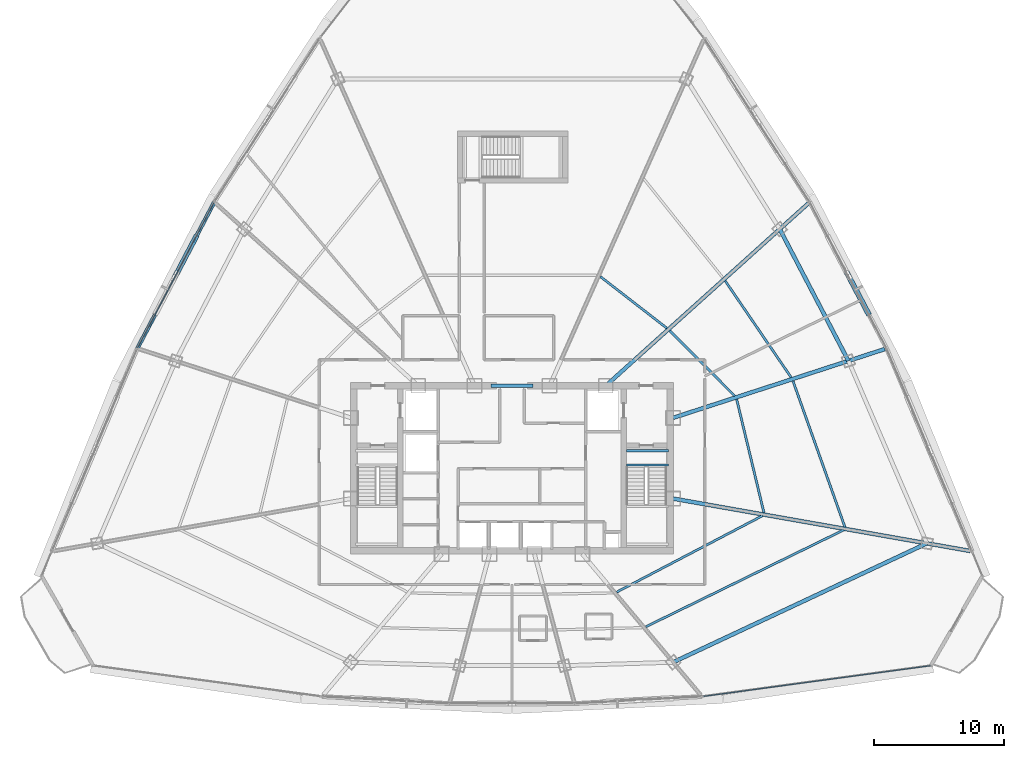
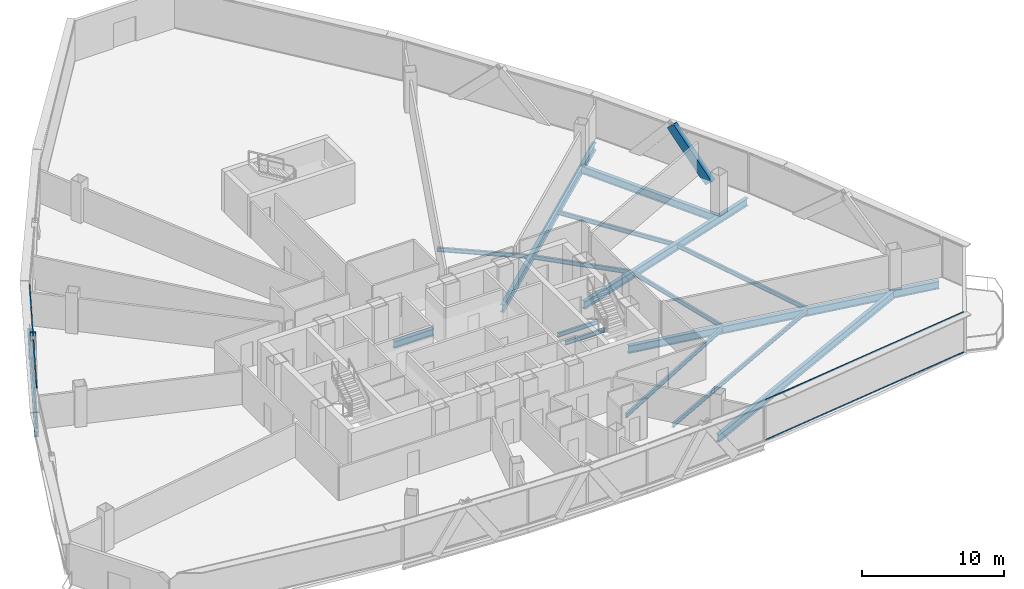
# One storey, part 13 of 34: 16 beams, 6 members, 2 elements without a shape of their own.
"""IFC4 building model written with IfcOpenShell, lengths in metres."""

from ifc_helpers import new_model, si_unit, direction, frame, origin, origin_2d, place, context, subcontext, project, spatial, hollow_rectangle, i_section, extrude, source, transform, mapped, material, layer, layer_set, material_profile, profile_set, type_object, element, aggregate, save


model = new_model("IFC4")

# Units and contexts
model_context = context("Model", 3, precision=1e-05, world=origin(), true_north=direction((0.0, 1.0)))
body_context = subcontext(model_context, "Body", "Model", "MODEL_VIEW")
ifc_project = project(units=[si_unit("LENGTHUNIT", "METRE"), si_unit("AREAUNIT", "SQUARE_METRE"), si_unit("VOLUMEUNIT", "CUBIC_METRE"), si_unit("PLANEANGLEUNIT", "RADIAN"), si_unit("MASSUNIT", "GRAM", prefix="KILO"), si_unit("THERMODYNAMICTEMPERATUREUNIT", "KELVIN"), si_unit("POWERUNIT", "WATT")], contexts=[model_context])

# Site, building, storey
site_placement = place(None, origin())
site = spatial("IfcSite", under=ifc_project, at=site_placement, CompositionType="ELEMENT")
building_placement = place(site_placement, origin())
building = spatial("IfcBuilding", under=site, at=building_placement, Name="Yunzhuo Pagoda Commons", CompositionType="ELEMENT")
storey_placement = place(building_placement, frame((0.0, 0.0, 229.610107421875)))
storey = spatial("IfcBuildingStorey", under=building, at=storey_placement, Name="L57", CompositionType="ELEMENT", Elevation=229.610107421875)

# Beams
ifc_material_1 = material(Name="Structural steel Q355B", Category="steel")
ifc_material_profile_1 = material_profile(ifc_material_1, i_section(OverallWidth=0.175048828125, OverallDepth=0.35009765625, WebThickness=0.007080078125, FlangeThickness=0.010986328125, at=origin_2d()), Name="Structural steel Q355B")
ifc_profile_set_1 = profile_set([ifc_material_profile_1], Name="Structural steel Q355B")
beam_type_1 = type_object("IfcBeamType", Name="B-JS2 Joist HN 350x175x7x11", PredefinedType="JOIST", material=ifc_profile_set_1)
shared_shape_1 = source(origin(), body_context, "Body", "SweptSolid", [
    extrude(i_section(OverallWidth=0.175048828125, OverallDepth=0.35009765625, WebThickness=0.007080078125, FlangeThickness=0.010986328125, at=origin_2d()), origin(), (0.0, 0.0, 1.0), 3.25),
])
for number, where, z_axis, x_axis, name in (
    (1, (56.800048828125, 34.10009765625, -0.375), (1.0, 0.0, 0.0), (0.0, 1.0, 0.0), "L57 ST2 landing support beam 161A"),
    (2, (56.800048828125, 35.199951171875, -0.375), (1.0, 0.0, 0.0), (0.0, 1.0, 0.0), "L57 ST2 landing support beam 161B"),
):
    element("IfcBeam", number, at=place(storey_placement, frame(where, z_axis=z_axis, x_axis=x_axis)), inside=storey, type_object=beam_type_1, Name=name, PredefinedType="JOIST", context=body_context, shape_type="MappedRepresentation", body=[
        mapped(shared_shape_1, transform((0.0, 0.0, 0.0), scale=1.0)),
    ])
ifc_material_2 = material(Name="Structural steel Q420B", Category="steel")
ifc_material_profile_2 = material_profile(ifc_material_2, i_section(OverallWidth=0.300048828125, OverallDepth=0.587890625, WebThickness=0.011962890625, FlangeThickness=0.02001953125, at=origin_2d()), Name="Structural steel Q420B")
ifc_profile_set_2 = profile_set([ifc_material_profile_2], Name="Structural steel Q420B")
beam_type_2 = type_object("IfcBeamType", Name="B-CPL Beam HM 588x300x12x20", PredefinedType="BEAM", material=ifc_profile_set_2)
shared_shape_2 = source(origin(), body_context, "Body", "SweptSolid", [
    extrude(i_section(OverallWidth=0.300048828125, OverallDepth=0.587890625, WebThickness=0.011962890625, FlangeThickness=0.02001953125, at=origin_2d()), origin(), (0.0, 0.0, 1.0), 3.2001953125),
])
beam_1_placement = place(storey_placement, frame((46.39990234375, 40.199951171875, -0.55419921875), z_axis=(1.0, 0.0, 0.0), x_axis=(0.0, 1.0, 0.0)))
element("IfcBeam", 3, at=beam_1_placement, inside=storey, type_object=beam_type_2, Name="L57 core coupling girder", PredefinedType="BEAM", context=body_context, shape_type="MappedRepresentation", body=[
    mapped(shared_shape_2, transform((0.0, 0.0, 0.0), scale=1.0)),
])
ifc_material_profile_3 = material_profile(ifc_material_1, i_section(OverallWidth=0.300048828125, OverallDepth=0.43994140625, WebThickness=0.010986328125, FlangeThickness=0.01806640625, at=origin_2d()), Name="Structural steel Q355B")
ifc_profile_set_3 = profile_set([ifc_material_profile_3], Name="Structural steel Q355B")
beam_type_3 = type_object("IfcBeamType", Name="B-SP2 Beam HM 440x300x11x18", PredefinedType="BEAM", material=ifc_profile_set_3)
shared_shape_3 = source(origin(), body_context, "Body", "SweptSolid", [
    extrude(i_section(OverallWidth=0.300048828125, OverallDepth=0.43994140625, WebThickness=0.010986328125, FlangeThickness=0.01806640625, at=origin_2d()), origin(), (0.0, 0.0, 1.0), 12.72802734375),
])
beam_2_placement = place(storey_placement, frame((25.07861328125, 54.33837890625, -0.480224609375), z_axis=(-0.465335297966, -0.88513448722, 0.0), x_axis=(0.88513448722, -0.465335297966, 0.0)))
element("IfcBeam", 4, at=beam_2_placement, inside=storey, type_object=beam_type_3, Name="L57 facade edge spandrel beam F3.2", PredefinedType="BEAM", context=body_context, shape_type="MappedRepresentation", body=[
    mapped(shared_shape_3, transform((0.0, 0.0, 0.0), scale=1.0)),
])
ifc_material_profile_4 = material_profile(ifc_material_1, i_section(OverallWidth=0.300048828125, OverallDepth=0.64990234375, WebThickness=0.012939453125, FlangeThickness=0.02197265625, at=origin_2d()), Name="Structural steel Q355B")
ifc_profile_set_4 = profile_set([ifc_material_profile_4], Name="Structural steel Q355B")
beam_type_4 = type_object("IfcBeamType", Name="B-RG2 Beam HN 650x300x13x22", PredefinedType="BEAM", material=ifc_profile_set_4)
shared_shape_4 = source(origin(), body_context, "Body", "SweptSolid", [
    extrude(i_section(OverallWidth=0.300048828125, OverallDepth=0.64990234375, WebThickness=0.012939453125, FlangeThickness=0.02197265625, at=origin_2d()), origin(), (0.0, 0.0, 1.0), 21.56689453125),
])
beam_3_placement = place(storey_placement, frame((60.406982421875, 18.913818359375, -0.585205078125), z_axis=(0.905424265365, 0.424507832304, 0.0), x_axis=(-0.424507832304, 0.905424265365, 0.0)))
element("IfcBeam", 5, at=beam_3_placement, inside=storey, type_object=beam_type_4, Name="L57 column-ring beam 4", PredefinedType="BEAM", context=body_context, shape_type="MappedRepresentation", body=[
    mapped(shared_shape_4, transform((0.0, 0.0, 0.0), scale=1.0)),
])
shared_shape_5 = source(origin(), body_context, "Body", "SweptSolid", [
    extrude(i_section(OverallWidth=0.300048828125, OverallDepth=0.64990234375, WebThickness=0.012939453125, FlangeThickness=0.02197265625, at=origin_2d()), origin(), (0.0, 0.0, 1.0), 11.43896484375),
])
beam_4_placement = place(storey_placement, frame((73.898681640625, 42.114990234375, -0.585205078125), z_axis=(-0.462175736513, 0.886788356136, 0.0), x_axis=(-0.886788356136, -0.462175736513, 0.0)))
element("IfcBeam", 6, at=beam_4_placement, inside=storey, type_object=beam_type_4, Name="L57 column-ring beam 6", PredefinedType="BEAM", context=body_context, shape_type="MappedRepresentation", body=[
    mapped(shared_shape_5, transform((0.0, 0.0, 0.0), scale=1.0)),
])
shared_shape_6 = source(origin(), body_context, "Body", "SweptSolid", [
    extrude(i_section(OverallWidth=0.300048828125, OverallDepth=0.64990234375, WebThickness=0.012939453125, FlangeThickness=0.02197265625, at=origin_2d()), origin(), (0.0, 0.0, 1.0), 23.22265625),
])
beam_5_placement = place(storey_placement, frame((83.269775390625, 27.48095703125, -0.585205078125), z_axis=(-0.984808525924, 0.173643794211, 0.0), x_axis=(-0.173643794211, -0.984808525924, 0.0)))
element("IfcBeam", 7, at=beam_5_placement, inside=storey, type_object=beam_type_4, Name="L57 radial floor girder F2C1", PredefinedType="BEAM", context=body_context, shape_type="MappedRepresentation", body=[
    mapped(shared_shape_6, transform((0.0, 0.0, 0.0), scale=1.0)),
])
shared_shape_7 = source(origin(), body_context, "Body", "SweptSolid", [
    extrude(i_section(OverallWidth=0.300048828125, OverallDepth=0.64990234375, WebThickness=0.012939453125, FlangeThickness=0.02197265625, at=origin_2d()), origin(), (0.0, 0.0, 1.0), 17.135986328125),
])
beam_6_placement = place(storey_placement, frame((76.697265625, 43.024169921875, -0.585205078125), z_axis=(-0.951059402888, -0.309008110214, 0.0), x_axis=(0.309008110214, -0.951059402888, 0.0)))
element("IfcBeam", 8, at=beam_6_placement, inside=storey, type_object=beam_type_4, Name="L57 radial floor girder F2C2", PredefinedType="BEAM", context=body_context, shape_type="MappedRepresentation", body=[
    mapped(shared_shape_7, transform((0.0, 0.0, 0.0), scale=1.0)),
])
shared_shape_8 = source(origin(), body_context, "Body", "SweptSolid", [
    extrude(i_section(OverallWidth=0.300048828125, OverallDepth=0.64990234375, WebThickness=0.012939453125, FlangeThickness=0.02197265625, at=origin_2d()), origin(), (0.0, 0.0, 1.0), 20.974609375),
])
beam_7_placement = place(storey_placement, frame((70.80615234375, 54.23486328125, -0.585205078125), z_axis=(-0.743140751916, -0.669135130479, 0.0), x_axis=(0.669135130479, -0.743140751916, 0.0)))
element("IfcBeam", 9, at=beam_7_placement, inside=storey, type_object=beam_type_4, Name="L57 radial floor girder F2C3", PredefinedType="BEAM", context=body_context, shape_type="MappedRepresentation", body=[
    mapped(shared_shape_8, transform((0.0, 0.0, 0.0), scale=1.0)),
])
shared_shape_9 = source(origin(), body_context, "Body", "SweptSolid", [
    extrude(i_section(OverallWidth=0.175048828125, OverallDepth=0.35009765625, WebThickness=0.007080078125, FlangeThickness=0.010986328125, at=origin_2d()), origin(), (0.0, 0.0, 1.0), 12.666259765625),
])
beam_8_placement = place(storey_placement, frame((56.0712890625, 24.32275390625, -0.43505859375), z_axis=(0.885841344078, 0.463988268302, 0.0), x_axis=(-0.463988268302, 0.885841344078, 0.0)))
element("IfcBeam", 10, at=beam_8_placement, inside=storey, type_object=beam_type_1, Name="L57 composite ring joist 1.4", PredefinedType="JOIST", context=body_context, shape_type="MappedRepresentation", body=[
    mapped(shared_shape_9, transform((0.0, 0.0, 0.0), scale=1.0)),
])
shared_shape_10 = source(origin(), body_context, "Body", "SweptSolid", [
    extrude(i_section(OverallWidth=0.175048828125, OverallDepth=0.35009765625, WebThickness=0.007080078125, FlangeThickness=0.010986328125, at=origin_2d()), origin(), (0.0, 0.0, 1.0), 16.95361328125),
])
beam_9_placement = place(storey_placement, frame((58.3115234375, 21.6513671875, -0.43505859375), z_axis=(0.898261717675, 0.439460904473, 0.0), x_axis=(-0.439460904473, 0.898261717675, 0.0)))
element("IfcBeam", 11, at=beam_9_placement, inside=storey, type_object=beam_type_1, Name="L57 composite ring joist 2.4", PredefinedType="JOIST", context=body_context, shape_type="MappedRepresentation", body=[
    mapped(shared_shape_10, transform((0.0, 0.0, 0.0), scale=1.0)),
])
shared_shape_11 = source(origin(), body_context, "Body", "SweptSolid", [
    extrude(i_section(OverallWidth=0.175048828125, OverallDepth=0.35009765625, WebThickness=0.007080078125, FlangeThickness=0.010986328125, at=origin_2d()), origin(), (0.0, 0.0, 1.0), 8.973876953125),
])
beam_10_placement = place(storey_placement, frame((67.395263671875, 30.42822265625, -0.43505859375), z_axis=(-0.233858589105, 0.972270620919, 0.0), x_axis=(-0.972270620919, -0.233858589105, 0.0)))
element("IfcBeam", 12, at=beam_10_placement, inside=storey, type_object=beam_type_1, Name="L57 composite ring joist 1.5", PredefinedType="JOIST", context=body_context, shape_type="MappedRepresentation", body=[
    mapped(shared_shape_11, transform((0.0, 0.0, 0.0), scale=1.0)),
])
shared_shape_12 = source(origin(), body_context, "Body", "SweptSolid", [
    extrude(i_section(OverallWidth=0.175048828125, OverallDepth=0.35009765625, WebThickness=0.007080078125, FlangeThickness=0.010986328125, at=origin_2d()), origin(), (0.0, 0.0, 1.0), 11.929931640625),
])
beam_11_placement = place(storey_placement, frame((73.6298828125, 29.3212890625, -0.43505859375), z_axis=(-0.335086374925, 0.942187413066, 0.0), x_axis=(-0.942187413066, -0.335086374925, 0.0)))
element("IfcBeam", 13, at=beam_11_placement, inside=storey, type_object=beam_type_1, Name="L57 composite ring joist 2.5", PredefinedType="JOIST", context=body_context, shape_type="MappedRepresentation", body=[
    mapped(shared_shape_12, transform((0.0, 0.0, 0.0), scale=1.0)),
])
shared_shape_13 = source(origin(), body_context, "Body", "SweptSolid", [
    extrude(i_section(OverallWidth=0.175048828125, OverallDepth=0.35009765625, WebThickness=0.007080078125, FlangeThickness=0.010986328125, at=origin_2d()), origin(), (0.0, 0.0, 1.0), 7.0732421875),
])
beam_12_placement = place(storey_placement, frame((65.147216796875, 39.42041015625, -0.43505859375), z_axis=(-0.706139657206, 0.708072584218, 0.0), x_axis=(-0.708072584218, -0.706139657206, 0.0)))
element("IfcBeam", 14, at=beam_12_placement, inside=storey, type_object=beam_type_1, Name="L57 composite ring joist 1.6", PredefinedType="JOIST", context=body_context, shape_type="MappedRepresentation", body=[
    mapped(shared_shape_13, transform((0.0, 0.0, 0.0), scale=1.0)),
])
shared_shape_14 = source(origin(), body_context, "Body", "SweptSolid", [
    extrude(i_section(OverallWidth=0.175048828125, OverallDepth=0.35009765625, WebThickness=0.007080078125, FlangeThickness=0.010986328125, at=origin_2d()), origin(), (0.0, 0.0, 1.0), 8.99365234375),
])
beam_13_placement = place(storey_placement, frame((69.4892578125, 40.8427734375, -0.43505859375), z_axis=(-0.564098900337, 0.825707230584, 0.0), x_axis=(-0.825707230584, -0.564098900337, 0.0)))
element("IfcBeam", 15, at=beam_13_placement, inside=storey, type_object=beam_type_1, Name="L57 composite ring joist 2.6", PredefinedType="JOIST", context=body_context, shape_type="MappedRepresentation", body=[
    mapped(shared_shape_14, transform((0.0, 0.0, 0.0), scale=1.0)),
])
shared_shape_15 = source(origin(), body_context, "Body", "SweptSolid", [
    extrude(i_section(OverallWidth=0.175048828125, OverallDepth=0.35009765625, WebThickness=0.007080078125, FlangeThickness=0.010986328125, at=origin_2d()), origin(), (0.0, 0.0, 1.0), 6.4677734375),
])
beam_14_placement = place(storey_placement, frame((59.914794921875, 44.638671875, -0.43505859375), z_axis=(-0.790160481991, 0.612900002202, 0.0), x_axis=(-0.612900002202, -0.790160481991, 0.0)))
element("IfcBeam", 16, at=beam_14_placement, inside=storey, type_object=beam_type_1, Name="L57 composite ring joist 1.7", PredefinedType="JOIST", context=body_context, shape_type="MappedRepresentation", body=[
    mapped(shared_shape_15, transform((0.0, 0.0, 0.0), scale=1.0)),
])

# Members
ifc_material_profile_5 = material_profile(ifc_material_1, hollow_rectangle(XDim=0.39990234375, YDim=0.719970703125, WallThickness=0.02392578125, at=origin_2d()), Name="Structural steel Q355B")
ifc_profile_set_5 = profile_set([ifc_material_profile_5], Name="Structural steel Q355B")
member_type_1 = type_object("IfcMemberType", Name="M-DL2 Brace BOX 720x400x24", PredefinedType="BRACE", material=ifc_profile_set_5)
shared_shape_16 = source(origin(), body_context, "Body", "SweptSolid", [
    extrude(hollow_rectangle(XDim=0.39990234375, YDim=0.719970703125, WallThickness=0.02392578125, at=origin_2d()), origin(), (0.0, 0.0, 1.0), 4.90283203125),
])
for number, where, z_axis, x_axis, name in (
    (17, (75.363525390625, 45.888671875, -0.260009765625), (-0.301960074757, 0.574490993152, 0.76077605906), (-0.885174392601, -0.465259384305, 0.0), "L57 facade diamond brace F2.2L"),
    (18, (23.597900390625, 51.52197265625, -0.260009765625), (-0.301960074757, -0.574490993152, 0.76077605906), (0.885174392601, -0.465259384305, 0.0), "L57 facade diamond brace F3.2L"),
):
    element("IfcMember", number, at=place(storey_placement, frame(where, z_axis=z_axis, x_axis=x_axis)), inside=storey, type_object=member_type_1, Name=name, PredefinedType="BRACE", context=body_context, shape_type="MappedRepresentation", body=[
        mapped(shared_shape_16, transform((0.0, 0.0, 0.0), scale=1.0)),
    ])

# Curtain wall, members
ifc_material_3 = material(Name="Anodized aluminium 6063-T6", Category="aluminium")
ifc_layer = layer(ifc_material_3, 0.139892578125)
ifc_layer_set = layer_set([ifc_layer], Name="Anodized aluminium 6063-T6")
curtain_wall_type = type_object("IfcCurtainWallType", Name="CW-HI High-Zone Ribbon Curtain Wall", PredefinedType="NOTDEFINED", material=ifc_layer_set)
curtain_wall_1_placement = place(storey_placement, origin())
curtain_wall_1 = element("IfcCurtainWall", 19, at=curtain_wall_1_placement, inside=storey, type_object=curtain_wall_type, Name="L57 curtain wall CW-L57-F1B5", PredefinedType="NOTDEFINED")
ifc_material_profile_6 = material_profile(ifc_material_3, hollow_rectangle(XDim=0.054931640625, YDim=0.1201171875, WallThickness=0.00341796875, at=origin_2d()), Name="Anodized aluminium 6063-T6")
ifc_profile_set_6 = profile_set([ifc_material_profile_6], Name="Anodized aluminium 6063-T6")
member_type_2 = type_object("IfcMemberType", Name="CW-HI-T Transom RHS 120x55x3.5", PredefinedType="USERDEFINED", material=ifc_profile_set_6)
shared_shape_17 = source(origin(), body_context, "Body", "SweptSolid", [
    extrude(hollow_rectangle(XDim=0.054931640625, YDim=0.1201171875, WallThickness=0.00341796875, at=origin_2d()), origin(), (0.0, 0.0, 1.0), 17.590087890625),
])
member_1_placement = place(storey_placement, frame((62.75634765625, 16.29150390625, 0.02734375), z_axis=(0.990991783223, 0.133922685102, 0.0), x_axis=(-0.133922685102, 0.990991783223, 0.0)))
member_1 = element("IfcMember", 20, at=member_1_placement, type_object=member_type_2, Name="CW transom 1.1", ObjectType="TRANSOM", PredefinedType="USERDEFINED", context=body_context, shape_type="MappedRepresentation", body=[
    mapped(shared_shape_17, transform((0.0, 0.0, 0.0), scale=1.0)),
])
member_2_placement = place(storey_placement, frame((62.75634765625, 16.29150390625, 3.4423828125), z_axis=(0.990991783223, 0.133922685102, 0.0), x_axis=(-0.133922685102, 0.990991783223, 0.0)))
member_2 = element("IfcMember", 21, at=member_2_placement, type_object=member_type_2, Name="CW transom 1.2", ObjectType="TRANSOM", PredefinedType="USERDEFINED", context=body_context, shape_type="MappedRepresentation", body=[
    mapped(shared_shape_17, transform((0.0, 0.0, 0.0), scale=1.0)),
])
aggregate(curtain_wall_1, [member_1, member_2])

curtain_wall_2_placement = place(storey_placement, origin())
curtain_wall_2 = element("IfcCurtainWall", 22, at=curtain_wall_2_placement, inside=storey, type_object=curtain_wall_type, Name="L57 curtain wall CW-L57-F3B3", PredefinedType="NOTDEFINED")
shared_shape_18 = source(origin(), body_context, "Body", "SweptSolid", [
    extrude(hollow_rectangle(XDim=0.054931640625, YDim=0.1201171875, WallThickness=0.00341796875, at=origin_2d()), origin(), (0.0, 0.0, 1.0), 12.6083984375),
])
member_3_placement = place(storey_placement, frame((25.05078125, 54.285400390625, 0.02734375), z_axis=(-0.465337780668, -0.885133182003, 0.0), x_axis=(0.885133182003, -0.465337780668, 0.0)))
member_3 = element("IfcMember", 23, at=member_3_placement, type_object=member_type_2, Name="CW transom 1.1", ObjectType="TRANSOM", PredefinedType="USERDEFINED", context=body_context, shape_type="MappedRepresentation", body=[
    mapped(shared_shape_18, transform((0.0, 0.0, 0.0), scale=1.0)),
])
member_4_placement = place(storey_placement, frame((25.05078125, 54.285400390625, 3.4423828125), z_axis=(-0.465337780668, -0.885133182003, 0.0), x_axis=(0.885133182003, -0.465337780668, 0.0)))
member_4 = element("IfcMember", 24, at=member_4_placement, type_object=member_type_2, Name="CW transom 1.2", ObjectType="TRANSOM", PredefinedType="USERDEFINED", context=body_context, shape_type="MappedRepresentation", body=[
    mapped(shared_shape_18, transform((0.0, 0.0, 0.0), scale=1.0)),
])
aggregate(curtain_wall_2, [member_3, member_4])

save(model, "model.ifc")
